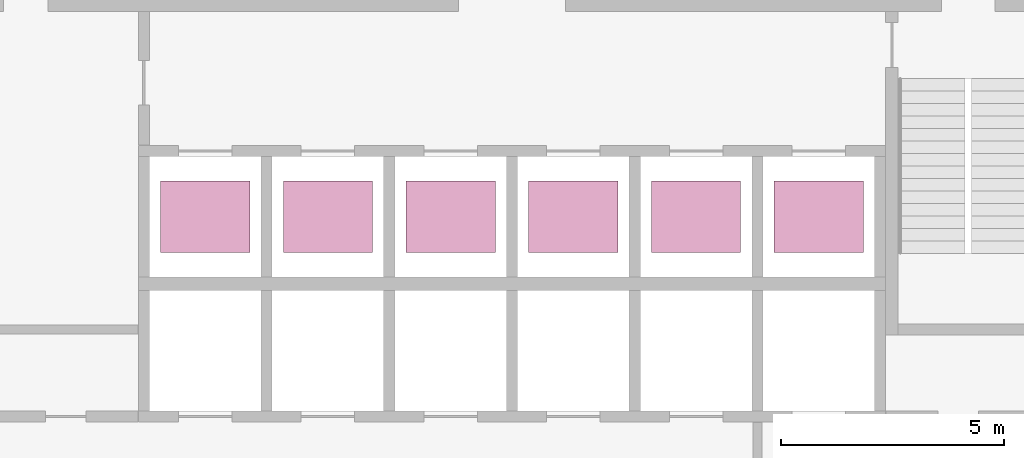
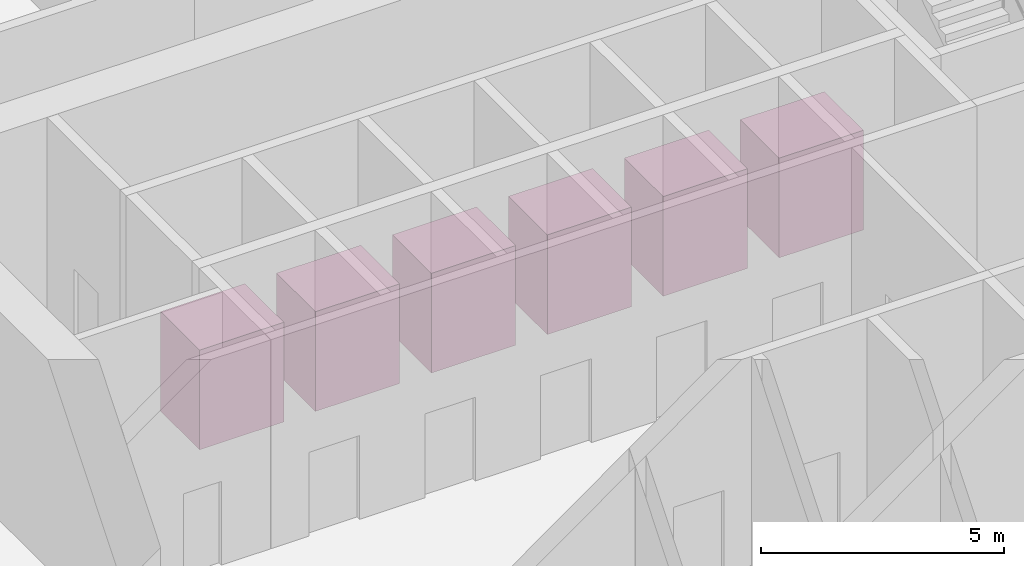
# One storey, part 22 of 23: 6 transport elements.
"""IFC4 building model written with IfcOpenShell, lengths in metres."""

from ifc_helpers import new_model, si_unit, direction, frame, origin, origin_2d, place, context, subcontext, project, spatial, rectangle, extrude, material, type_object, element, save


model = new_model("IFC4")

# Units and contexts
model_context = context("Model", 3, precision=1e-05, world=origin(), true_north=direction((0.0, 1.0)))
body_context = subcontext(model_context, "Body", "Model", "MODEL_VIEW")
ifc_project = project(units=[si_unit("LENGTHUNIT", "METRE"), si_unit("AREAUNIT", "SQUARE_METRE"), si_unit("VOLUMEUNIT", "CUBIC_METRE"), si_unit("PLANEANGLEUNIT", "RADIAN"), si_unit("MASSUNIT", "GRAM", prefix="KILO")], contexts=[model_context])

# Site, building, storey
site_placement = place(None, origin())
site = spatial("IfcSite", under=ifc_project, at=site_placement, CompositionType="ELEMENT")
building_placement = place(site_placement, origin())
building = spatial("IfcBuilding", under=site, at=building_placement, Name="Dilmun Exchange Tower", CompositionType="ELEMENT")
storey_placement = place(building_placement, frame((0.0, 0.0, 237.300048828125)))
storey = spatial("IfcBuildingStorey", under=building, at=storey_placement, Name="L56", CompositionType="ELEMENT", Elevation=237.300048828125)

# Transport elements
ifc_material = material(Name="Stainless steel", Category="steel")
transport_element_type = type_object("IfcTransportElementType", Name="Passenger lift car 2000x1600", PredefinedType="ELEVATOR", material=ifc_material)
for number, where, z_axis, x_axis, name in (
    (1, (-6.875, 7.199951171875, 0.0), (0.0, 0.0, 1.0), (1.0, 0.0, 0.0), "High-rise lift HR1"),
    (2, (-4.125, 7.199951171875, 0.0), (0.0, 0.0, 1.0), (1.0, 0.0, 0.0), "High-rise lift HR2"),
    (3, (-1.375, 7.199951171875, 0.0), (0.0, 0.0, 1.0), (1.0, 0.0, 0.0), "High-rise lift HR3"),
    (4, (1.375, 7.199951171875, 0.0), (0.0, 0.0, 1.0), (1.0, 0.0, 0.0), "High-rise lift HR4"),
    (5, (4.125, 7.199951171875, 0.0), (0.0, 0.0, 1.0), (1.0, 0.0, 0.0), "High-rise lift HR5"),
    (6, (6.875, 7.199951171875, 0.0), (0.0, 0.0, 1.0), (1.0, 0.0, 0.0), "High-rise lift HR6"),
):
    element("IfcTransportElement", number, at=place(storey_placement, frame(where, z_axis=z_axis, x_axis=x_axis)), inside=storey, type_object=transport_element_type, Name=name, PredefinedType="ELEVATOR", context=body_context, shape_type="SweptSolid", body=[
        extrude(rectangle(XDim=2.0, YDim=1.60009765625, at=origin_2d()), origin(), (0.0, 0.0, 1.0), 2.5),
    ])

save(model, "model.ifc")
